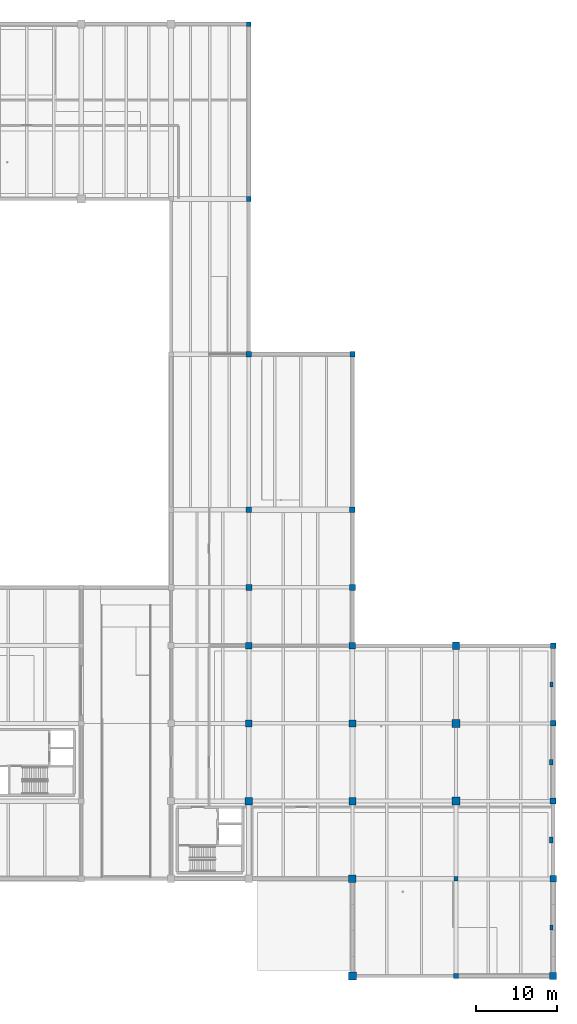
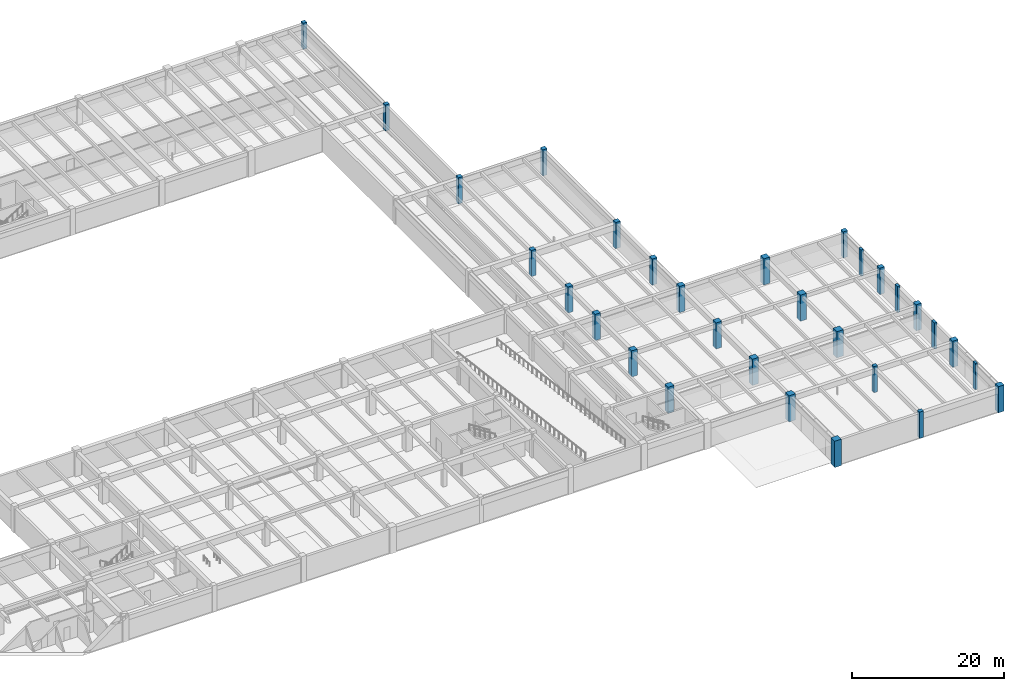
# One storey, part 2 of 28: 30 columns.
"""IFC4 building model written with IfcOpenShell, lengths in metres."""

from ifc_helpers import new_model, si_unit, direction, frame, origin, origin_2d, place, context, subcontext, project, spatial, rectangle, extrude, material, material_profile, profile_set, type_object, element, save


model = new_model("IFC4")

# Units and contexts
model_context = context("Model", 3, precision=1e-05, world=origin(), true_north=direction((0.0, 1.0)))
body_context = subcontext(model_context, "Body", "Model", "MODEL_VIEW")
ifc_project = project(units=[si_unit("LENGTHUNIT", "METRE"), si_unit("AREAUNIT", "SQUARE_METRE"), si_unit("VOLUMEUNIT", "CUBIC_METRE"), si_unit("PLANEANGLEUNIT", "RADIAN"), si_unit("MASSUNIT", "GRAM", prefix="KILO")], contexts=[model_context])

# Site, building, storey
site_placement = place(None, origin())
site = spatial("IfcSite", under=ifc_project, at=site_placement, CompositionType="ELEMENT")
building_placement = place(site_placement, origin())
building = spatial("IfcBuilding", under=site, at=building_placement, Name="Fikremerkos Civic Library", CompositionType="ELEMENT")
storey_placement = place(building_placement, frame((0.0, 0.0, -4.199951171875)))
storey = spatial("IfcBuildingStorey", under=building, at=storey_placement, Name="B01", CompositionType="ELEMENT", Elevation=-4.199951171875)

# Columns
ifc_material_1 = material(Name="Concrete C45/55", Category="concrete")
ifc_material_profile_1 = material_profile(ifc_material_1, rectangle(XDim=1.0, YDim=1.0, at=origin_2d()), Name="RC 1000x1000")
ifc_profile_set_1 = profile_set([ifc_material_profile_1], Name="Concrete C45/55")
column_type_1 = type_object("IfcColumnType", Name="Structural column COL-01 RC 1000x1000", PredefinedType="COLUMN", material=ifc_profile_set_1)
for number, where, z_axis, x_axis, name in (
    (1, (147.199951171875, 0.0, 0.0), (0.0, 0.0, 1.0), (1.0, 0.0, 0.0), "Column COL-01 B01 13/A"),
    (2, (160.0, 21.60009765625, 0.0), (0.0, 0.0, 1.0), (1.0, 0.0, 0.0), "Column COL-01 B01 14/F"),
):
    element("IfcColumn", number, at=place(storey_placement, frame(where, z_axis=z_axis, x_axis=x_axis)), inside=storey, type_object=column_type_1, Name=name, PredefinedType="COLUMN", context=body_context, shape_type="SweptSolid", body=[
        extrude(rectangle(XDim=1.0, YDim=1.0, at=origin_2d()), origin(), (0.0, 0.0, 1.0), 4.199951171875),
    ])
ifc_material_profile_2 = material_profile(ifc_material_1, rectangle(XDim=0.949951171875, YDim=0.949951171875, at=origin_2d()), Name="RC 950x950")
ifc_profile_set_2 = profile_set([ifc_material_profile_2], Name="Concrete C45/55")
column_type_2 = type_object("IfcColumnType", Name="Structural column COL-02 RC 950x950", PredefinedType="COLUMN", material=ifc_profile_set_2)
for number, where, z_axis, x_axis, name in (
    (3, (147.199951171875, 12.0, 0.0), (0.0, 0.0, 1.0), (1.0, 0.0, 0.0), "Column COL-02 B01 13/E"),
    (4, (160.0, 31.199951171875, 0.0), (0.0, 0.0, 1.0), (1.0, 0.0, 0.0), "Column COL-02 B01 14/G"),
):
    element("IfcColumn", number, at=place(storey_placement, frame(where, z_axis=z_axis, x_axis=x_axis)), inside=storey, type_object=column_type_2, Name=name, PredefinedType="COLUMN", context=body_context, shape_type="SweptSolid", body=[
        extrude(rectangle(XDim=0.949951171875, YDim=0.949951171875, at=origin_2d()), origin(), (0.0, 0.0, 1.0), 4.199951171875),
    ])
ifc_material_profile_3 = material_profile(ifc_material_1, rectangle(XDim=0.89990234375, YDim=0.89990234375, at=origin_2d()), Name="RC 900x900")
ifc_profile_set_3 = profile_set([ifc_material_profile_3], Name="Concrete C45/55")
column_type_3 = type_object("IfcColumnType", Name="Structural column COL-03 RC 900x900", PredefinedType="COLUMN", material=ifc_profile_set_3)
for number, where, z_axis, x_axis, name in (
    (5, (134.39990234375, 21.60009765625, 0.0), (0.0, 0.0, 1.0), (1.0, 0.0, 0.0), "Column COL-03 B01 12/F"),
    (6, (147.199951171875, 21.60009765625, 0.0), (0.0, 0.0, 1.0), (1.0, 0.0, 0.0), "Column COL-03 B01 13/F"),
    (7, (160.0, 40.800048828125, 0.0), (0.0, 0.0, 1.0), (1.0, 0.0, 0.0), "Column COL-03 B01 14/H"),
):
    element("IfcColumn", number, at=place(storey_placement, frame(where, z_axis=z_axis, x_axis=x_axis)), inside=storey, type_object=column_type_3, Name=name, PredefinedType="COLUMN", context=body_context, shape_type="SweptSolid", body=[
        extrude(rectangle(XDim=0.89990234375, YDim=0.89990234375, at=origin_2d()), origin(), (0.0, 0.0, 1.0), 4.199951171875),
    ])
ifc_material_2 = material(Name="Concrete C40/50", Category="concrete")
ifc_material_profile_4 = material_profile(ifc_material_2, rectangle(XDim=0.85009765625, YDim=0.85009765625, at=origin_2d()), Name="RC 850x850")
ifc_profile_set_4 = profile_set([ifc_material_profile_4], Name="Concrete C40/50")
column_type_4 = type_object("IfcColumnType", Name="Structural column COL-04 RC 850x850", PredefinedType="COLUMN", material=ifc_profile_set_4)
for number, where, z_axis, x_axis, name in (
    (8, (134.39990234375, 31.199951171875, 0.0), (0.0, 0.0, 1.0), (1.0, 0.0, 0.0), "Column COL-04 B01 12/G"),
    (9, (147.199951171875, 31.199951171875, 0.0), (0.0, 0.0, 1.0), (1.0, 0.0, 0.0), "Column COL-04 B01 13/G"),
    (10, (172.0, 0.0, 0.0), (0.0, 0.0, 1.0), (1.0, 0.0, 0.0), "Column COL-04 B01 15/A"),
):
    element("IfcColumn", number, at=place(storey_placement, frame(where, z_axis=z_axis, x_axis=x_axis)), inside=storey, type_object=column_type_4, Name=name, PredefinedType="COLUMN", context=body_context, shape_type="SweptSolid", body=[
        extrude(rectangle(XDim=0.85009765625, YDim=0.85009765625, at=origin_2d()), origin(), (0.0, 0.0, 1.0), 4.199951171875),
    ])
ifc_material_profile_5 = material_profile(ifc_material_2, rectangle(XDim=0.800048828125, YDim=0.800048828125, at=origin_2d()), Name="RC 800x800")
ifc_profile_set_5 = profile_set([ifc_material_profile_5], Name="Concrete C40/50")
column_type_5 = type_object("IfcColumnType", Name="Structural column COL-05 RC 800x800", PredefinedType="COLUMN", material=ifc_profile_set_5)
for number, where, z_axis, x_axis, name in (
    (11, (134.39990234375, 40.800048828125, 0.0), (0.0, 0.0, 1.0), (1.0, 0.0, 0.0), "Column COL-05 B01 12/H"),
    (12, (147.199951171875, 40.800048828125, 0.0), (0.0, 0.0, 1.0), (1.0, 0.0, 0.0), "Column COL-05 B01 13/H"),
    (13, (172.0, 12.0, 0.0), (0.0, 0.0, 1.0), (1.0, 0.0, 0.0), "Column COL-05 B01 15/E"),
):
    element("IfcColumn", number, at=place(storey_placement, frame(where, z_axis=z_axis, x_axis=x_axis)), inside=storey, type_object=column_type_5, Name=name, PredefinedType="COLUMN", context=body_context, shape_type="SweptSolid", body=[
        extrude(rectangle(XDim=0.800048828125, YDim=0.800048828125, at=origin_2d()), origin(), (0.0, 0.0, 1.0), 4.199951171875),
    ])
ifc_material_profile_6 = material_profile(ifc_material_2, rectangle(XDim=0.75, YDim=0.75, at=origin_2d()), Name="RC 750x750")
ifc_profile_set_6 = profile_set([ifc_material_profile_6], Name="Concrete C40/50")
column_type_6 = type_object("IfcColumnType", Name="Structural column COL-06 RC 750x750", PredefinedType="COLUMN", material=ifc_profile_set_6)
for number, where, z_axis, x_axis, name in (
    (14, (134.39990234375, 48.0, 0.0), (0.0, 0.0, 1.0), (1.0, 0.0, 0.0), "Column COL-06 B01 12/J"),
    (15, (147.199951171875, 48.0, 0.0), (0.0, 0.0, 1.0), (1.0, 0.0, 0.0), "Column COL-06 B01 13/J"),
    (16, (172.0, 21.60009765625, 0.0), (0.0, 0.0, 1.0), (1.0, 0.0, 0.0), "Column COL-06 B01 15/F"),
):
    element("IfcColumn", number, at=place(storey_placement, frame(where, z_axis=z_axis, x_axis=x_axis)), inside=storey, type_object=column_type_6, Name=name, PredefinedType="COLUMN", context=body_context, shape_type="SweptSolid", body=[
        extrude(rectangle(XDim=0.75, YDim=0.75, at=origin_2d()), origin(), (0.0, 0.0, 1.0), 4.199951171875),
    ])
ifc_material_profile_7 = material_profile(ifc_material_2, rectangle(XDim=0.699951171875, YDim=0.699951171875, at=origin_2d()), Name="RC 700x700")
ifc_profile_set_7 = profile_set([ifc_material_profile_7], Name="Concrete C40/50")
column_type_7 = type_object("IfcColumnType", Name="Structural column COL-07 RC 700x700", PredefinedType="COLUMN", material=ifc_profile_set_7)
for number, where, z_axis, x_axis, name in (
    (17, (134.39990234375, 57.60009765625, 0.0), (0.0, 0.0, 1.0), (1.0, 0.0, 0.0), "Column COL-07 B01 12/K"),
    (18, (147.199951171875, 57.60009765625, 0.0), (0.0, 0.0, 1.0), (1.0, 0.0, 0.0), "Column COL-07 B01 13/K"),
    (19, (172.0, 31.199951171875, 0.0), (0.0, 0.0, 1.0), (1.0, 0.0, 0.0), "Column COL-07 B01 15/G"),
):
    element("IfcColumn", number, at=place(storey_placement, frame(where, z_axis=z_axis, x_axis=x_axis)), inside=storey, type_object=column_type_7, Name=name, PredefinedType="COLUMN", context=body_context, shape_type="SweptSolid", body=[
        extrude(rectangle(XDim=0.699951171875, YDim=0.699951171875, at=origin_2d()), origin(), (0.0, 0.0, 1.0), 4.199951171875),
    ])
ifc_material_profile_8 = material_profile(ifc_material_2, rectangle(XDim=0.64990234375, YDim=0.64990234375, at=origin_2d()), Name="RC 650x650")
ifc_profile_set_8 = profile_set([ifc_material_profile_8], Name="Concrete C40/50")
column_type_8 = type_object("IfcColumnType", Name="Structural column COL-08 RC 650x650", PredefinedType="COLUMN", material=ifc_profile_set_8)
for number, where, z_axis, x_axis, name in (
    (20, (134.39990234375, 76.800048828125, 0.0), (0.0, 0.0, 1.0), (1.0, 0.0, 0.0), "Column COL-08 B01 12/L"),
    (21, (147.199951171875, 76.800048828125, 0.0), (0.0, 0.0, 1.0), (1.0, 0.0, 0.0), "Column COL-08 B01 13/L"),
    (22, (172.0, 40.800048828125, 0.0), (0.0, 0.0, 1.0), (1.0, 0.0, 0.0), "Column COL-08 B01 15/H"),
):
    element("IfcColumn", number, at=place(storey_placement, frame(where, z_axis=z_axis, x_axis=x_axis)), inside=storey, type_object=column_type_8, Name=name, PredefinedType="COLUMN", context=body_context, shape_type="SweptSolid", body=[
        extrude(rectangle(XDim=0.64990234375, YDim=0.64990234375, at=origin_2d()), origin(), (0.0, 0.0, 1.0), 4.199951171875),
    ])
ifc_material_profile_9 = material_profile(ifc_material_2, rectangle(XDim=0.60009765625, YDim=0.60009765625, at=origin_2d()), Name="RC 600x600")
ifc_profile_set_9 = profile_set([ifc_material_profile_9], Name="Concrete C40/50")
column_type_9 = type_object("IfcColumnType", Name="Structural column COL-09 RC 600x600", PredefinedType="COLUMN", material=ifc_profile_set_9)
for number, where, z_axis, x_axis, name in (
    (23, (134.39990234375, 96.0, 0.0), (0.0, 0.0, 1.0), (1.0, 0.0, 0.0), "Column COL-09 B01 12/M"),
    (24, (160.0, 0.0, 0.0), (0.0, 0.0, 1.0), (1.0, 0.0, 0.0), "Column COL-09 B01 14/A"),
):
    element("IfcColumn", number, at=place(storey_placement, frame(where, z_axis=z_axis, x_axis=x_axis)), inside=storey, type_object=column_type_9, Name=name, PredefinedType="COLUMN", context=body_context, shape_type="SweptSolid", body=[
        extrude(rectangle(XDim=0.60009765625, YDim=0.60009765625, at=origin_2d()), origin(), (0.0, 0.0, 1.0), 4.199951171875),
    ])
ifc_material_profile_10 = material_profile(ifc_material_2, rectangle(XDim=0.550048828125, YDim=0.550048828125, at=origin_2d()), Name="RC 550x550")
ifc_profile_set_10 = profile_set([ifc_material_profile_10], Name="Concrete C40/50")
column_type_10 = type_object("IfcColumnType", Name="Structural column COL-10 RC 550x550", PredefinedType="COLUMN", material=ifc_profile_set_10)
for number, where, z_axis, x_axis, name in (
    (25, (134.39990234375, 117.60009765625, 0.0), (0.0, 0.0, 1.0), (1.0, 0.0, 0.0), "Column COL-10 B01 12/N"),
    (26, (160.0, 12.0, 0.0), (0.0, 0.0, 1.0), (1.0, 0.0, 0.0), "Column COL-10 B01 14/E"),
):
    element("IfcColumn", number, at=place(storey_placement, frame(where, z_axis=z_axis, x_axis=x_axis)), inside=storey, type_object=column_type_10, Name=name, PredefinedType="COLUMN", context=body_context, shape_type="SweptSolid", body=[
        extrude(rectangle(XDim=0.550048828125, YDim=0.550048828125, at=origin_2d()), origin(), (0.0, 0.0, 1.0), 4.199951171875),
    ])
ifc_material_profile_11 = material_profile(ifc_material_2, rectangle(XDim=0.39990234375, YDim=0.75, at=origin_2d()), Name="RC 400x750")
ifc_profile_set_11 = profile_set([ifc_material_profile_11], Name="Concrete C40/50")
column_type_11 = type_object("IfcColumnType", Name="Wall pilaster PIL-02 RC 400x750", PredefinedType="PILASTER", material=ifc_profile_set_11)
column_1_placement = place(storey_placement, frame((171.780029296875, 16.800048828125, 0.0), z_axis=(0.0, 0.0, 1.0), x_axis=(1.0, 0.0, 0.0)))
element("IfcColumn", 27, at=column_1_placement, inside=storey, type_object=column_type_11, Name="Wall pilaster PIL-02 B01 E2", PredefinedType="PILASTER", context=body_context, shape_type="SweptSolid", body=[
    extrude(rectangle(XDim=0.39990234375, YDim=0.75, at=origin_2d()), origin(), (0.0, 0.0, 1.0), 4.199951171875),
])
ifc_material_profile_12 = material_profile(ifc_material_2, rectangle(XDim=0.39990234375, YDim=0.64990234375, at=origin_2d()), Name="RC 400x650")
ifc_profile_set_12 = profile_set([ifc_material_profile_12], Name="Concrete C40/50")
column_type_12 = type_object("IfcColumnType", Name="Wall pilaster PIL-03 RC 400x650", PredefinedType="PILASTER", material=ifc_profile_set_12)
column_2_placement = place(storey_placement, frame((171.780029296875, 26.39990234375, 0.0), z_axis=(0.0, 0.0, 1.0), x_axis=(1.0, 0.0, 0.0)))
element("IfcColumn", 28, at=column_2_placement, inside=storey, type_object=column_type_12, Name="Wall pilaster PIL-03 B01 E3", PredefinedType="PILASTER", context=body_context, shape_type="SweptSolid", body=[
    extrude(rectangle(XDim=0.39990234375, YDim=0.64990234375, at=origin_2d()), origin(), (0.0, 0.0, 1.0), 4.199951171875),
])
ifc_material_profile_13 = material_profile(ifc_material_2, rectangle(XDim=0.35009765625, YDim=0.60009765625, at=origin_2d()), Name="RC 350x600")
ifc_profile_set_13 = profile_set([ifc_material_profile_13], Name="Concrete C40/50")
column_type_13 = type_object("IfcColumnType", Name="Wall pilaster PIL-04 RC 350x600", PredefinedType="PILASTER", material=ifc_profile_set_13)
for number, where, z_axis, x_axis, name in (
    (29, (171.780029296875, 6.0, 0.0), (0.0, 0.0, 1.0), (1.0, 0.0, 0.0), "Wall pilaster PIL-04 B01 E1"),
    (30, (171.780029296875, 36.0, 0.0), (0.0, 0.0, 1.0), (1.0, 0.0, 0.0), "Wall pilaster PIL-04 B01 E4"),
):
    element("IfcColumn", number, at=place(storey_placement, frame(where, z_axis=z_axis, x_axis=x_axis)), inside=storey, type_object=column_type_13, Name=name, PredefinedType="PILASTER", context=body_context, shape_type="SweptSolid", body=[
        extrude(rectangle(XDim=0.35009765625, YDim=0.60009765625, at=origin_2d()), origin(), (0.0, 0.0, 1.0), 4.199951171875),
    ])

save(model, "model.ifc")
